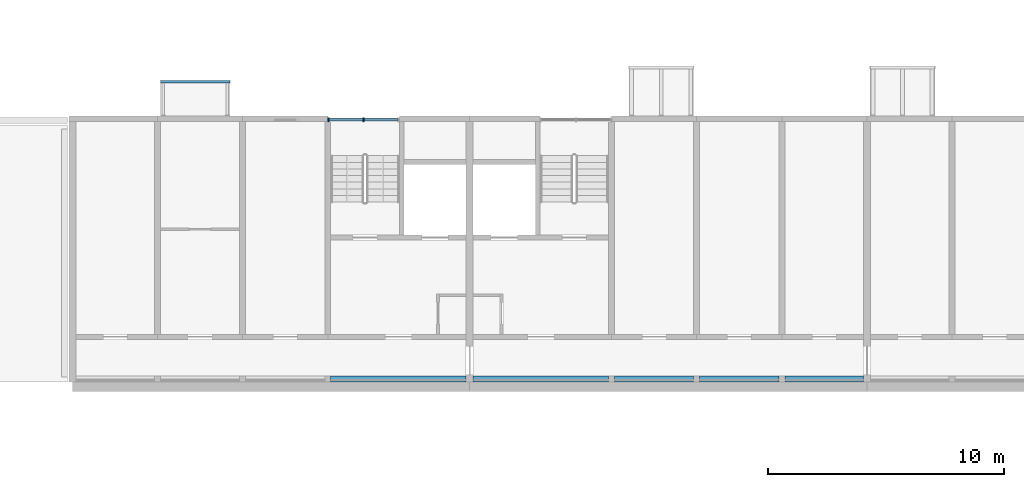
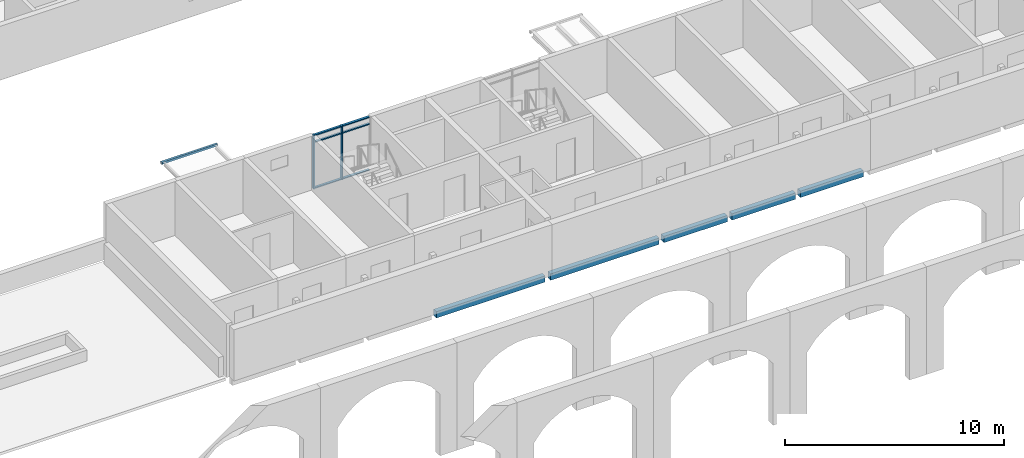
# One storey, part 21 of 122: 8 members, 6 beams, 1 element without a shape of its own.
"""IFC4 building model written with IfcOpenShell, lengths in metres."""

from ifc_helpers import new_model, si_unit, direction, frame, origin, origin_2d, place, context, subcontext, project, spatial, rectangle, hollow_rectangle, extrude, material, material_profile, profile_set, type_object, element, aggregate, save


model = new_model("IFC4")

# Units and contexts
model_context = context("Model", 3, precision=1e-05, world=origin(), true_north=direction((0.0, 1.0)))
body_context = subcontext(model_context, "Body", "Model", "MODEL_VIEW")
ifc_project = project(units=[si_unit("LENGTHUNIT", "METRE"), si_unit("AREAUNIT", "SQUARE_METRE"), si_unit("VOLUMEUNIT", "CUBIC_METRE"), si_unit("PLANEANGLEUNIT", "RADIAN"), si_unit("MASSUNIT", "GRAM", prefix="KILO")], contexts=[model_context])

# Site, building, storey
site_placement = place(None, origin())
site = spatial("IfcSite", under=ifc_project, at=site_placement, CompositionType="ELEMENT")
building_placement = place(site_placement, origin())
building = spatial("IfcBuilding", under=site, at=building_placement, Name="Ridgestep Commons", CompositionType="ELEMENT")
storey_placement = place(building_placement, frame((0.0, 0.0, 3.0)))
storey = spatial("IfcBuildingStorey", under=building, at=storey_placement, Name="L01", CompositionType="ELEMENT", Elevation=3.0)

# Beams
ifc_material_1 = material(Name="Precast concrete C40/50", Category="concrete")
ifc_material_profile_1 = material_profile(ifc_material_1, rectangle(XDim=0.25, YDim=0.35009765625, at=origin_2d()), Name="PC 250x350")
ifc_profile_set_1 = profile_set([ifc_material_profile_1], Name="Precast concrete C40/50")
beam_type_1 = type_object("IfcBeamType", Name="Loggia edge beam 250 x 350", PredefinedType="SPANDREL", material=ifc_profile_set_1)
beam_1_placement = place(storey_placement, frame((157.72509765625, 11.875, -0.375), z_axis=(1.0, 0.0, 0.0), x_axis=(0.0, 1.0, 0.0)))
element("IfcBeam", 1, at=beam_1_placement, inside=storey, type_object=beam_type_1, Name="Loggia edge beam D1C L01", PredefinedType="SPANDREL", context=body_context, shape_type="SweptSolid", body=[
    extrude(rectangle(XDim=0.25, YDim=0.35009765625, at=origin_2d()), origin(), (0.0, 0.0, 1.0), 5.724853515625),
])
beam_2_placement = place(storey_placement, frame((163.75, 11.875, -0.375), z_axis=(1.0, 0.0, 0.0), x_axis=(0.0, 1.0, 0.0)))
element("IfcBeam", 2, at=beam_2_placement, inside=storey, type_object=beam_type_1, Name="Loggia edge beam D2C L01", PredefinedType="SPANDREL", context=body_context, shape_type="SweptSolid", body=[
    extrude(rectangle(XDim=0.25, YDim=0.35009765625, at=origin_2d()), origin(), (0.0, 0.0, 1.0), 5.72509765625),
])
beam_3_placement = place(storey_placement, frame((169.72509765625, 11.875, -0.375), z_axis=(1.0, 0.0, 0.0), x_axis=(0.0, 1.0, 0.0)))
element("IfcBeam", 3, at=beam_3_placement, inside=storey, type_object=beam_type_1, Name="Loggia edge beam D2T3 L01", PredefinedType="SPANDREL", context=body_context, shape_type="SweptSolid", body=[
    extrude(rectangle(XDim=0.25, YDim=0.35009765625, at=origin_2d()), origin(), (0.0, 0.0, 1.0), 3.349853515625),
])
beam_4_placement = place(storey_placement, frame((173.324951171875, 11.875, -0.375), z_axis=(1.0, 0.0, 0.0), x_axis=(0.0, 1.0, 0.0)))
element("IfcBeam", 4, at=beam_4_placement, inside=storey, type_object=beam_type_1, Name="Loggia edge beam D2T2 L01", PredefinedType="SPANDREL", context=body_context, shape_type="SweptSolid", body=[
    extrude(rectangle(XDim=0.25, YDim=0.35009765625, at=origin_2d()), origin(), (0.0, 0.0, 1.0), 3.35009765625),
])
beam_5_placement = place(storey_placement, frame((176.925048828125, 11.875, -0.375), z_axis=(1.0, 0.0, 0.0), x_axis=(0.0, 1.0, 0.0)))
element("IfcBeam", 5, at=beam_5_placement, inside=storey, type_object=beam_type_1, Name="Loggia edge beam D2T1 L01", PredefinedType="SPANDREL", context=body_context, shape_type="SweptSolid", body=[
    extrude(rectangle(XDim=0.25, YDim=0.35009765625, at=origin_2d()), origin(), (0.0, 0.0, 1.0), 3.324951171875),
])

# Curtain wall, members
ifc_material_2 = material(Name="Aluminium 6063-T6 and glass", Category="aluminium")
curtain_wall_type = type_object("IfcCurtainWallType", Name="Curtain wall stair strip", PredefinedType="NOTDEFINED", material=ifc_material_2)
curtain_wall_placement = place(storey_placement, origin())
curtain_wall = element("IfcCurtainWall", 6, at=curtain_wall_placement, inside=storey, type_object=curtain_wall_type, Name="Curtain wall D1C level 01", PredefinedType="NOTDEFINED")
ifc_material_3 = material(Name="Aluminium 6063-T6", Category="aluminium")
ifc_material_profile_2 = material_profile(ifc_material_3, rectangle(XDim=0.159912109375, YDim=0.06005859375, at=origin_2d()), Name="Mullion 60 x 160")
ifc_profile_set_2 = profile_set([ifc_material_profile_2], Name="Aluminium 6063-T6")
member_type_1 = type_object("IfcMemberType", Name="Mullion 60 x 160", PredefinedType="MULLION", material=ifc_profile_set_2)
member_1_placement = place(storey_placement, frame((157.6298828125, 22.830078125, 0.0), z_axis=(0.0, 0.0, 1.0), x_axis=(0.0, 1.0, 0.0)))
member_1 = element("IfcMember", 7, at=member_1_placement, type_object=member_type_1, Name="CW1 mullion 1", PredefinedType="MULLION", context=body_context, shape_type="SweptSolid", body=[
    extrude(rectangle(XDim=0.159912109375, YDim=0.06005859375, at=origin_2d()), origin(), (0.0, 0.0, 1.0), 3.0),
])
member_2_placement = place(storey_placement, frame((159.112548828125, 22.830078125, 0.0), z_axis=(0.0, 0.0, 1.0), x_axis=(0.0, 1.0, 0.0)))
member_2 = element("IfcMember", 8, at=member_2_placement, type_object=member_type_1, Name="CW1 mullion 2", PredefinedType="MULLION", context=body_context, shape_type="SweptSolid", body=[
    extrude(rectangle(XDim=0.159912109375, YDim=0.06005859375, at=origin_2d()), origin(), (0.0, 0.0, 1.0), 3.0),
])
ifc_material_4 = material(Name="Aluminium 6063-T6", Category="aluminium")
ifc_material_profile_3 = material_profile(ifc_material_4, rectangle(XDim=0.1201171875, YDim=0.06005859375, at=origin_2d()), Name="Transom 60 x 120")
ifc_profile_set_3 = profile_set([ifc_material_profile_3], Name="Aluminium 6063-T6")
member_type_2 = type_object("IfcMemberType", Name="Transom 60 x 120", PredefinedType="USERDEFINED", material=ifc_profile_set_3)
member_3_placement = place(storey_placement, frame((157.659912109375, 22.830078125, 0.030029296875), z_axis=(1.0, 0.0, 0.0), x_axis=(0.0, 1.0, 0.0)))
member_3 = element("IfcMember", 9, at=member_3_placement, type_object=member_type_2, Name="CW1 transom 1.1", ObjectType="TRANSOM", PredefinedType="USERDEFINED", context=body_context, shape_type="SweptSolid", body=[
    extrude(rectangle(XDim=0.1201171875, YDim=0.06005859375, at=origin_2d()), origin(), (0.0, 0.0, 1.0), 1.422607421875),
])
member_4_placement = place(storey_placement, frame((157.659912109375, 22.830078125, 2.590087890625), z_axis=(1.0, 0.0, 0.0), x_axis=(0.0, 1.0, 0.0)))
member_4 = element("IfcMember", 10, at=member_4_placement, type_object=member_type_2, Name="CW1 transom 1.2", ObjectType="TRANSOM", PredefinedType="USERDEFINED", context=body_context, shape_type="SweptSolid", body=[
    extrude(rectangle(XDim=0.1201171875, YDim=0.06005859375, at=origin_2d()), origin(), (0.0, 0.0, 1.0), 1.422607421875),
])
member_5_placement = place(storey_placement, frame((157.659912109375, 22.830078125, 2.969970703125), z_axis=(1.0, 0.0, 0.0), x_axis=(0.0, 1.0, 0.0)))
member_5 = element("IfcMember", 11, at=member_5_placement, type_object=member_type_2, Name="CW1 transom 1.3", ObjectType="TRANSOM", PredefinedType="USERDEFINED", context=body_context, shape_type="SweptSolid", body=[
    extrude(rectangle(XDim=0.1201171875, YDim=0.06005859375, at=origin_2d()), origin(), (0.0, 0.0, 1.0), 1.422607421875),
])
member_6_placement = place(storey_placement, frame((159.142578125, 22.830078125, 0.030029296875), z_axis=(1.0, 0.0, 0.0), x_axis=(0.0, 1.0, 0.0)))
member_6 = element("IfcMember", 12, at=member_6_placement, type_object=member_type_2, Name="CW1 transom 2.1", ObjectType="TRANSOM", PredefinedType="USERDEFINED", context=body_context, shape_type="SweptSolid", body=[
    extrude(rectangle(XDim=0.1201171875, YDim=0.06005859375, at=origin_2d()), origin(), (0.0, 0.0, 1.0), 1.42236328125),
])
member_7_placement = place(storey_placement, frame((159.142578125, 22.830078125, 2.590087890625), z_axis=(1.0, 0.0, 0.0), x_axis=(0.0, 1.0, 0.0)))
member_7 = element("IfcMember", 13, at=member_7_placement, type_object=member_type_2, Name="CW1 transom 2.2", ObjectType="TRANSOM", PredefinedType="USERDEFINED", context=body_context, shape_type="SweptSolid", body=[
    extrude(rectangle(XDim=0.1201171875, YDim=0.06005859375, at=origin_2d()), origin(), (0.0, 0.0, 1.0), 1.42236328125),
])
member_8_placement = place(storey_placement, frame((159.142578125, 22.830078125, 2.969970703125), z_axis=(1.0, 0.0, 0.0), x_axis=(0.0, 1.0, 0.0)))
member_8 = element("IfcMember", 14, at=member_8_placement, type_object=member_type_2, Name="CW1 transom 2.3", ObjectType="TRANSOM", PredefinedType="USERDEFINED", context=body_context, shape_type="SweptSolid", body=[
    extrude(rectangle(XDim=0.1201171875, YDim=0.06005859375, at=origin_2d()), origin(), (0.0, 0.0, 1.0), 1.42236328125),
])
aggregate(curtain_wall, [member_1, member_2, member_3, member_4, member_5, member_6, member_7, member_8])

# Beam
ifc_material_5 = material(Name="Weathering steel S355J2W", Category="steel")
ifc_material_profile_4 = material_profile(ifc_material_5, hollow_rectangle(XDim=0.1201171875, YDim=0.1201171875, WallThickness=0.00634765625, InnerFilletRadius=0.00634765625, OuterFilletRadius=0.009521484375, at=origin_2d()), Name="SHS 120x120x6.3")
ifc_profile_set_4 = profile_set([ifc_material_profile_4], Name="Weathering steel S355J2W")
beam_type_2 = type_object("IfcBeamType", Name="Tray edge member SHS 120x120x6.3", PredefinedType="BEAM", material=ifc_profile_set_4)
beam_6_placement = place(storey_placement, frame((150.530029296875, 24.43994140625, 2.929931640625), z_axis=(1.0, 0.0, 0.0), x_axis=(0.0, 0.0, 1.0)))
element("IfcBeam", 15, at=beam_6_placement, inside=storey, type_object=beam_type_2, Name="Tray edge member D1T2-02", PredefinedType="BEAM", context=body_context, shape_type="SweptSolid", body=[
    extrude(hollow_rectangle(XDim=0.1201171875, YDim=0.1201171875, WallThickness=0.00634765625, InnerFilletRadius=0.00634765625, OuterFilletRadius=0.009521484375, at=origin_2d()), origin(), (0.0, 0.0, 1.0), 2.93994140625),
])

save(model, "model.ifc")
